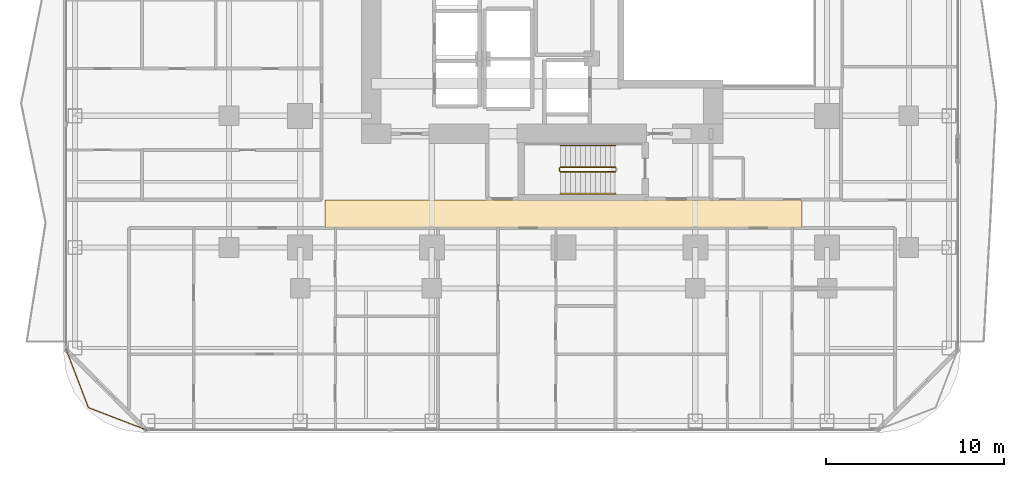
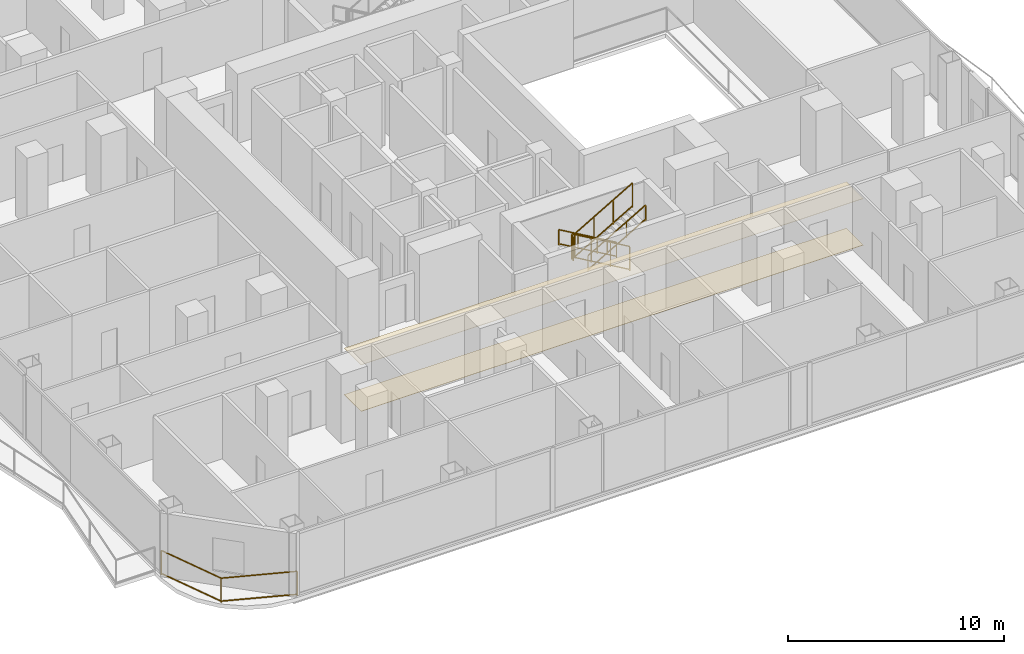
# One storey, part 25 of 29: 6 railings, 2 coverings.
"""IFC4 building model written with IfcOpenShell, lengths in metres."""

import ifcopenshell
import ifcopenshell.guid

model = None  # the IFC model being written
_history = None  # IfcOwnerHistory: only IFC2X3 demands one
_inside = {}  # id of a spatial element -> (the spatial element, [elements in it])
_under = {}  # id of a project, library or spatial element -> (it, [spatial elements below it])
_declared = {}  # id of a project -> (the project, [libraries it declares])
_typed = {}  # id of a type object -> (the type object, [elements of that type])
_made_of = {}  # id of a material, layer set ... -> (it, [elements and type objects made of it])


def new_model(schema):
    """Start an empty IFC model of exactly this schema.

    Asked for "IFC4X3", IfcOpenShell would pick the latest addendum, in which some entities
    have other attributes; the version numbers below select the first issue.
    IFC2X3 requires an IfcOwnerHistory on every rooted entity: one is made here for all.
    """
    global model, _history
    if schema == "IFC4X3":
        model = ifcopenshell.file(schema_version=(4, 3, 0, 0))
    else:
        model = ifcopenshell.file(schema=schema)
    _inside.clear()
    _under.clear()
    _declared.clear()
    _typed.clear()
    _made_of.clear()
    _history = None
    if model.schema == "IFC2X3":
        org = make("IfcOrganization", Name="unknown")
        user = make(
            "IfcPersonAndOrganization",
            ThePerson=make("IfcPerson", FamilyName="unknown"),
            TheOrganization=org,
        )
        app = make(
            "IfcApplication",
            ApplicationDeveloper=org,
            Version="unknown",
            ApplicationFullName="unknown",
            ApplicationIdentifier="unknown",
        )
        _history = make(
            "IfcOwnerHistory",
            OwningUser=user,
            OwningApplication=app,
            ChangeAction="ADDED",
            CreationDate=0,
        )
    return model


def make(cls, **values):
    """One entity of the class cls with the attributes given. An attribute that is None is left unset."""
    return model.create_entity(
        cls, **{name: value for name, value in values.items() if value is not None}
    )


def rooted(cls, **values):
    """An entity with a GlobalId (a new one), such as an element, a storey or a relation."""
    return make(cls, GlobalId=ifcopenshell.guid.new(), OwnerHistory=_history, **values)


def si_unit(unit_type, name, prefix=None):
    """IfcSIUnit, for example si_unit("LENGTHUNIT", "METRE", prefix="MILLI")."""
    return make("IfcSIUnit", UnitType=unit_type, Prefix=prefix, Name=name)


def assignment(units):
    """IfcUnitAssignment: the units of a project."""
    return None if units is None else make("IfcUnitAssignment", Units=units)


def point(xyz):
    """IfcCartesianPoint."""
    return None if xyz is None else make("IfcCartesianPoint", Coordinates=xyz)


def direction(xyz):
    """IfcDirection."""
    return None if xyz is None else make("IfcDirection", DirectionRatios=xyz)


def frame(location, z_axis=None, x_axis=None):
    """IfcAxis2Placement3D, a coordinate frame: its origin and axes. An axis left out is left unset."""
    return make(
        "IfcAxis2Placement3D",
        Location=point(location),
        Axis=direction(z_axis),
        RefDirection=direction(x_axis),
    )


def frame_2d(location, x_axis=None):
    """IfcAxis2Placement2D, a coordinate frame in the plane: its origin and x axis."""
    return make(
        "IfcAxis2Placement2D", Location=point(location), RefDirection=direction(x_axis)
    )


def origin():
    """The frame at (0, 0, 0) with its axes left unset."""
    return frame((0.0, 0.0, 0.0))


def origin_2d():
    """The frame at (0, 0) in the plane with its x axis left unset."""
    return frame_2d((0.0, 0.0))


def place(relative_to, where):
    """IfcLocalPlacement: puts the frame where relative to a parent placement (None: the world)."""
    return make(
        "IfcLocalPlacement", PlacementRelTo=relative_to, RelativePlacement=where
    )


def context(
    kind, dimensions, precision=None, world=None, true_north=None, identifier=None
):
    """IfcGeometricRepresentationContext, for example the 3D "Model" context."""
    return make(
        "IfcGeometricRepresentationContext",
        ContextIdentifier=identifier,
        ContextType=kind,
        CoordinateSpaceDimension=dimensions,
        Precision=precision,
        WorldCoordinateSystem=world,
        TrueNorth=true_north,
    )


def subcontext(parent, identifier, kind, view, scale=None):
    """IfcGeometricRepresentationSubContext, for example "Body" below "Model"."""
    return make(
        "IfcGeometricRepresentationSubContext",
        ContextIdentifier=identifier,
        ContextType=kind,
        ParentContext=parent,
        TargetScale=scale,
        TargetView=view,
    )


def project(units=None, contexts=None):
    """IfcProject with its units and contexts."""
    return rooted(
        "IfcProject",
        Name="project",
        RepresentationContexts=contexts,
        UnitsInContext=assignment(units),
    )


def spatial(cls, under=None, at=None, **own):
    """A site, building, storey or space (cls), placed at a placement, below another one or the project."""
    s = rooted(cls, ObjectPlacement=at, **own)
    if under is not None:
        _under.setdefault(under.id(), (under, []))[1].append(s)
    return s


def polyline(points):
    """IfcPolyline through the points."""
    return make("IfcPolyline", Points=[point(p) for p in points])


def profile(cls, at=None, kind="AREA", **sizes):
    """A parametric profile (cls). Its sizes go by their IFC names, for example OverallWidth=200.0."""
    return make(cls, ProfileType=kind, Position=at, **sizes)


def rectangle(**sizes):
    """IfcRectangleProfileDef."""
    return profile("IfcRectangleProfileDef", **sizes)


def outline(outer, holes=None, kind="AREA"):
    """IfcArbitraryClosedProfileDef: a profile drawn as a closed curve; with holes, ...WithVoids."""
    if holes is None:
        return make("IfcArbitraryClosedProfileDef", ProfileType=kind, OuterCurve=outer)
    return make(
        "IfcArbitraryProfileDefWithVoids",
        ProfileType=kind,
        OuterCurve=outer,
        InnerCurves=holes,
    )


def extrude(swept, where, along, depth):
    """IfcExtrudedAreaSolid: the profile swept, set in the frame where, extruded along a direction by depth."""
    return make(
        "IfcExtrudedAreaSolid",
        SweptArea=swept,
        Position=where,
        ExtrudedDirection=direction(along),
        Depth=depth,
    )


def shape(context_of_items, identifier, shape_type, items):
    """IfcShapeRepresentation: the items that make up one representation, for example the "Body"."""
    return make(
        "IfcShapeRepresentation",
        ContextOfItems=context_of_items,
        RepresentationIdentifier=identifier,
        RepresentationType=shape_type,
        Items=items,
    )


def material(Name=None, Category=None):
    """IfcMaterial."""
    return make("IfcMaterial", Name=Name, Category=Category)


def layer(
    of_material, thickness, ventilated=None, Name=None, Category=None, Priority=None
):
    """IfcMaterialLayer: one layer of a wall or slab, of a material (None: an air gap)."""
    return make(
        "IfcMaterialLayer",
        Material=of_material,
        LayerThickness=thickness,
        IsVentilated=ventilated,
        Name=Name,
        Category=Category,
        Priority=Priority,
    )


def layer_set(layers, Name=None):
    """IfcMaterialLayerSet."""
    return make("IfcMaterialLayerSet", MaterialLayers=layers, LayerSetName=Name)


def made_of(thing, what):
    """Note that an element or type object is made of a material, layer set ...; save() writes the relation."""
    if what is not None:
        _made_of.setdefault(what.id(), (what, []))[1].append(thing)
    return thing


def type_object(cls, material=None, **own):
    """A type object (cls), such as IfcWallType, which elements share."""
    return made_of(rooted(cls, **own), material)


def element(
    cls,
    number,
    at=None,
    inside=None,
    cuts=None,
    type_object=None,
    material=None,
    context=None,
    identifier="Body",
    shape_type=None,
    held_by="IfcProductDefinitionShape",
    body=None,
    shapes=None,
    **own,
):
    """One element of the class cls, such as IfcWall. Its Tag is "e" and its number.

    at: its placement. inside: the storey or other place that contains it. cuts: it is an
    opening in that element (IfcRelVoidsElement). A single representation is given by context,
    identifier, shape_type and body (its items); several are given by shapes. held_by: the class
    of the entity that holds the representations. save() writes the other relations.
    """
    e = rooted(cls, Tag="e%d" % number, ObjectPlacement=at, **own)
    if body is not None:
        shapes = [shape(context, identifier, shape_type, body)]
    if shapes is not None:
        e.Representation = make(held_by, Representations=shapes)
    if inside is not None:
        _inside.setdefault(inside.id(), (inside, []))[1].append(e)
    if cuts is not None:
        rooted(
            "IfcRelVoidsElement", RelatingBuildingElement=cuts, RelatedOpeningElement=e
        )
    if type_object is not None:
        _typed.setdefault(type_object.id(), (type_object, []))[1].append(e)
    return made_of(e, material)


def aggregate(whole, parts):
    """IfcRelAggregates: a whole, such as a stair, and the parts it consists of."""
    return rooted("IfcRelAggregates", RelatingObject=whole, RelatedObjects=parts)


def save(model, path):
    """Write the relations noted so far, then the file.

    IfcRelAggregates (storeys below a building ...), IfcRelContainedInSpatialStructure (elements
    in a storey), IfcRelDefinesByType, IfcRelAssociatesMaterial and IfcRelDeclares: one each for
    every whole, place, type object, material and project.
    """
    for whole, parts in _under.values():
        aggregate(whole, parts)
    for where, things in _inside.values():
        rooted(
            "IfcRelContainedInSpatialStructure",
            RelatedElements=things,
            RelatingStructure=where,
        )
    for kind, things in _typed.values():
        rooted("IfcRelDefinesByType", RelatedObjects=things, RelatingType=kind)
    for what, things in _made_of.values():
        rooted("IfcRelAssociatesMaterial", RelatedObjects=things, RelatingMaterial=what)
    for by, libraries in _declared.values():
        rooted("IfcRelDeclares", RelatingContext=by, RelatedDefinitions=libraries)
    model.write(path)


model = new_model("IFC4")

# Units and contexts
model_context = context("Model", 3, precision=1e-05, world=origin(), true_north=direction((0.0, 1.0)))
body_context = subcontext(model_context, "Body", "Model", "MODEL_VIEW")
ifc_project = project(units=[si_unit("LENGTHUNIT", "METRE"), si_unit("AREAUNIT", "SQUARE_METRE"), si_unit("VOLUMEUNIT", "CUBIC_METRE"), si_unit("PLANEANGLEUNIT", "RADIAN"), si_unit("MASSUNIT", "GRAM", prefix="KILO")], contexts=[model_context])

# Site, building, storey
site_placement = place(None, origin())
site = spatial("IfcSite", under=ifc_project, at=site_placement, CompositionType="ELEMENT")
building_placement = place(site_placement, origin())
building = spatial("IfcBuilding", under=site, at=building_placement, Name="Khorvyn Point Tower", CompositionType="ELEMENT")
storey_placement = place(building_placement, frame((0.0, 0.0, 73.5)))
storey = spatial("IfcBuildingStorey", under=building, at=storey_placement, Name="L19", CompositionType="ELEMENT", Elevation=73.5)

# Railing
ifc_material_1 = material(Name="Anodised aluminium 6063-T6 and laminated safety glass", Category="aluminium")
railing_type_1 = type_object("IfcRailingType", Name="Laminated Glass and Aluminium Balcony Guardrail 1400", PredefinedType="BALUSTRADE", material=ifc_material_1)
railing_1_placement = place(storey_placement, frame((-27.97412109375, -20.470703125, 0.0)))
element("IfcRailing", 1, at=railing_1_placement, inside=storey, type_object=railing_type_1, Name="L19 Rounded Corner Edge Guardrail SW", PredefinedType="BALUSTRADE", context=body_context, shape_type="SweptSolid", body=[
    extrude(rectangle(XDim=0.048095703125, YDim=0.048095703125, at=origin_2d()), frame((0.0, 0.0, 1.3759765625), z_axis=(0.35841886047, -0.933560882031, 0.0), x_axis=(0.933560882031, 0.35841886047, 0.0)), (0.0, 0.0, 1.0), 3.563232421875),
    extrude(rectangle(XDim=0.048095703125, YDim=0.048095703125, at=origin_2d()), frame((0.0, 0.0, 0.080078125), z_axis=(0.35841886047, -0.933560882031, 0.0), x_axis=(0.933560882031, 0.35841886047, 0.0)), (0.0, 0.0, 1.0), 3.563232421875),
    extrude(rectangle(XDim=0.048095703125, YDim=0.048095703125, at=origin_2d()), frame((1.277099609375, -3.326416015625, 1.3759765625), z_axis=(0.933575007025, -0.358382067435, 0.0), x_axis=(0.358382067435, 0.933575007025, 0.0)), (0.0, 0.0, 1.0), 3.562744140625),
    extrude(rectangle(XDim=0.048095703125, YDim=0.048095703125, at=origin_2d()), frame((1.277099609375, -3.326416015625, 0.080078125), z_axis=(0.933575007025, -0.358382067435, 0.0), x_axis=(0.358382067435, 0.933575007025, 0.0)), (0.0, 0.0, 1.0), 3.562744140625),
    extrude(rectangle(XDim=0.0419921875, YDim=0.0419921875, at=origin_2d()), origin(), (0.0, 0.0, 1.0), 1.351806640625),
    extrude(rectangle(XDim=0.0419921875, YDim=0.0419921875, at=origin_2d()), frame((1.277099609375, -3.326416015625, 0.0)), (0.0, 0.0, 1.0), 1.351806640625),
    extrude(rectangle(XDim=0.0419921875, YDim=0.0419921875, at=origin_2d()), frame((4.603271484375, -4.603271484375, 0.0)), (0.0, 0.0, 1.0), 1.351806640625),
])

# Coverings
ifc_material_2 = material(Name="Mineral-fibre acoustic ceiling board", Category="gypsum")
ifc_layer_1 = layer(ifc_material_2, 0.02001953125)
ifc_layer_set_1 = layer_set([ifc_layer_1], Name="Perforated Mineral-Fibre Acoustic Suspended Ceiling 20")
covering_type_1 = type_object("IfcCoveringType", Name="Perforated Mineral-Fibre Acoustic Suspended Ceiling 20", PredefinedType="CEILING", material=ifc_layer_set_1)
covering_1_placement = place(storey_placement, frame((0.0, 0.0, 2.6201171875)))
element("IfcCovering", 2, at=covering_1_placement, inside=storey, type_object=covering_type_1, Name="L19 South Corridor Acoustic Ceiling", PredefinedType="CEILING", context=body_context, shape_type="SweptSolid", body=[
    extrude(outline(polyline([(-13.39990234375, -13.7099609375), (13.39990234375, -13.7099609375), (13.39990234375, -12.139892578125), (-13.39990234375, -12.139892578125), (-13.39990234375, -13.7099609375)])), origin(), (0.0, 0.0, 1.0), 0.019775390625),
])
ifc_material_3 = material(Name="Vitrified porcelain terrazzo tile", Category="ceramic")
ifc_layer_2 = layer(ifc_material_3, 0.01806640625)
ifc_layer_set_2 = layer_set([ifc_layer_2], Name="Porcelain Terrazzo Corridor Floor Finish Tile 18")
covering_type_2 = type_object("IfcCoveringType", Name="Porcelain Terrazzo Corridor Floor Finish Tile 18", PredefinedType="FLOORING", material=ifc_layer_set_2)
covering_2_placement = place(storey_placement, origin())
element("IfcCovering", 3, at=covering_2_placement, inside=storey, type_object=covering_type_2, Name="L19 South Corridor Terrazzo Flooring", PredefinedType="FLOORING", context=body_context, shape_type="SweptSolid", body=[
    extrude(outline(polyline([(-13.39990234375, -13.7099609375), (13.39990234375, -13.7099609375), (13.39990234375, -12.139892578125), (-13.39990234375, -12.139892578125), (-13.39990234375, -13.7099609375)])), origin(), (0.0, 0.0, 1.0), 0.01806640625),
])

# Railings
ifc_material_4 = material(Name="Stainless steel 1.4301", Category="steel")
railing_type_2 = type_object("IfcRailingType", Name="Stainless Steel 304 Stair Pitch Handrail 900", PredefinedType="HANDRAIL", material=ifc_material_4)
railing_2_placement = place(storey_placement, frame((2.89990234375, -9.070068359375, 0.16259765625)))
element("IfcRailing", 4, at=railing_2_placement, inside=storey, type_object=railing_type_2, Name="L19 ST-01 stair handrail 1", PredefinedType="HANDRAIL", context=body_context, shape_type="SweptSolid", body=[
    extrude(rectangle(XDim=0.048095703125, YDim=0.048095703125, at=origin_2d()), frame((0.0, 0.0, 0.8759765625), z_axis=(-0.864903211148, 0.0, 0.501938676878), x_axis=(0.0, -1.0, 0.0)), (0.0, 0.0, 1.0), 3.560791015625),
    extrude(rectangle(XDim=0.048095703125, YDim=0.048095703125, at=origin_2d()), frame((0.0, 0.0, 0.080078125), z_axis=(-0.864903211148, 0.0, 0.501938676878), x_axis=(0.0, -1.0, 0.0)), (0.0, 0.0, 1.0), 3.560791015625),
    extrude(rectangle(XDim=0.0419921875, YDim=0.0419921875, at=origin_2d()), origin(), (0.0, 0.0, 1.0), 0.851806640625),
    extrude(rectangle(XDim=0.0419921875, YDim=0.0419921875, at=origin_2d()), frame((-1.026611328125, 0.0, 0.595703125)), (0.0, 0.0, 1.0), 0.851806640625),
    extrude(rectangle(XDim=0.0419921875, YDim=0.0419921875, at=origin_2d()), frame((-2.05322265625, 0.0, 1.191650390625)), (0.0, 0.0, 1.0), 0.851806640625),
    extrude(rectangle(XDim=0.0419921875, YDim=0.0419921875, at=origin_2d()), frame((-3.079833984375, 0.0, 1.787353515625)), (0.0, 0.0, 1.0), 0.851806640625),
])
railing_3_placement = place(storey_placement, frame((-0.179931640625, -11.77001953125, 2.112548828125)))
element("IfcRailing", 5, at=railing_3_placement, inside=storey, type_object=railing_type_2, Name="L19 ST-01 stair handrail 2", PredefinedType="HANDRAIL", context=body_context, shape_type="SweptSolid", body=[
    extrude(rectangle(XDim=0.048095703125, YDim=0.048095703125, at=origin_2d()), frame((0.0, 0.0, 0.8759765625), z_axis=(0.864903211148, 0.0, 0.501938676878), x_axis=(0.0, 1.0, 0.0)), (0.0, 0.0, 1.0), 3.560791015625),
    extrude(rectangle(XDim=0.048095703125, YDim=0.048095703125, at=origin_2d()), frame((0.0, 0.0, 0.080078125), z_axis=(0.864903211148, 0.0, 0.501938676878), x_axis=(0.0, 1.0, 0.0)), (0.0, 0.0, 1.0), 3.560791015625),
    extrude(rectangle(XDim=0.0419921875, YDim=0.0419921875, at=origin_2d()), origin(), (0.0, 0.0, 1.0), 0.851806640625),
    extrude(rectangle(XDim=0.0419921875, YDim=0.0419921875, at=origin_2d()), frame((1.026611328125, 0.0, 0.595703125)), (0.0, 0.0, 1.0), 0.851806640625),
    extrude(rectangle(XDim=0.0419921875, YDim=0.0419921875, at=origin_2d()), frame((2.05322265625, 0.0, 1.191650390625)), (0.0, 0.0, 1.0), 0.851806640625),
    extrude(rectangle(XDim=0.0419921875, YDim=0.0419921875, at=origin_2d()), frame((3.079833984375, 0.0, 1.787353515625)), (0.0, 0.0, 1.0), 0.851806640625),
])
railing_type_3 = type_object("IfcRailingType", Name="Stainless Steel 304 Stair Well Guardrail 1400", PredefinedType="GUARDRAIL", material=ifc_material_4)
railing_4_placement = place(storey_placement, frame((2.89990234375, -10.2900390625, 0.16259765625)))
element("IfcRailing", 6, at=railing_4_placement, inside=storey, type_object=railing_type_3, Name="L19 ST-01 stair guard 1", PredefinedType="GUARDRAIL", context=body_context, shape_type="SweptSolid", body=[
    extrude(rectangle(XDim=0.048095703125, YDim=0.048095703125, at=origin_2d()), frame((0.0, 0.0, 1.3759765625), z_axis=(-0.864903211148, 0.0, 0.501938676878), x_axis=(0.0, -1.0, 0.0)), (0.0, 0.0, 1.0), 3.560791015625),
    extrude(rectangle(XDim=0.048095703125, YDim=0.048095703125, at=origin_2d()), frame((0.0, 0.0, 0.080078125), z_axis=(-0.864903211148, 0.0, 0.501938676878), x_axis=(0.0, -1.0, 0.0)), (0.0, 0.0, 1.0), 3.560791015625),
    extrude(rectangle(XDim=0.0419921875, YDim=0.0419921875, at=origin_2d()), origin(), (0.0, 0.0, 1.0), 1.351806640625),
    extrude(rectangle(XDim=0.0419921875, YDim=0.0419921875, at=origin_2d()), frame((-1.026611328125, 0.0, 0.595703125)), (0.0, 0.0, 1.0), 1.351806640625),
    extrude(rectangle(XDim=0.0419921875, YDim=0.0419921875, at=origin_2d()), frame((-2.05322265625, 0.0, 1.191650390625)), (0.0, 0.0, 1.0), 1.351806640625),
    extrude(rectangle(XDim=0.0419921875, YDim=0.0419921875, at=origin_2d()), frame((-3.079833984375, 0.0, 1.787353515625)), (0.0, 0.0, 1.0), 1.351806640625),
])
railing_5_placement = place(storey_placement, frame((-0.22998046875, -10.340087890625, 1.949951171875)))
element("IfcRailing", 7, at=railing_5_placement, inside=storey, type_object=railing_type_3, Name="L19 ST-01 stair guard 2", PredefinedType="GUARDRAIL", context=body_context, shape_type="SweptSolid", body=[
    extrude(rectangle(XDim=0.048095703125, YDim=0.048095703125, at=origin_2d()), frame((0.0, 0.0, 1.3759765625), z_axis=(0.0, -1.0, 0.0), x_axis=(1.0, 0.0, 0.0)), (0.0, 0.0, 1.0), 0.159912109375),
    extrude(rectangle(XDim=0.048095703125, YDim=0.048095703125, at=origin_2d()), frame((0.0, 0.0, 0.080078125), z_axis=(0.0, -1.0, 0.0), x_axis=(1.0, 0.0, 0.0)), (0.0, 0.0, 1.0), 0.159912109375),
    extrude(rectangle(XDim=0.0419921875, YDim=0.0419921875, at=origin_2d()), origin(), (0.0, 0.0, 1.0), 1.351806640625),
    extrude(rectangle(XDim=0.0419921875, YDim=0.0419921875, at=origin_2d()), frame((0.0, -0.159912109375, 0.0)), (0.0, 0.0, 1.0), 1.351806640625),
])
railing_6_placement = place(storey_placement, frame((-0.179931640625, -10.550048828125, 2.112548828125)))
element("IfcRailing", 8, at=railing_6_placement, inside=storey, type_object=railing_type_3, Name="L19 ST-01 stair guard 3", PredefinedType="GUARDRAIL", context=body_context, shape_type="SweptSolid", body=[
    extrude(rectangle(XDim=0.048095703125, YDim=0.048095703125, at=origin_2d()), frame((0.0, 0.0, 1.3759765625), z_axis=(0.864903211148, 0.0, 0.501938676878), x_axis=(0.0, 1.0, 0.0)), (0.0, 0.0, 1.0), 3.560791015625),
    extrude(rectangle(XDim=0.048095703125, YDim=0.048095703125, at=origin_2d()), frame((0.0, 0.0, 0.080078125), z_axis=(0.864903211148, 0.0, 0.501938676878), x_axis=(0.0, 1.0, 0.0)), (0.0, 0.0, 1.0), 3.560791015625),
    extrude(rectangle(XDim=0.0419921875, YDim=0.0419921875, at=origin_2d()), origin(), (0.0, 0.0, 1.0), 1.351806640625),
    extrude(rectangle(XDim=0.0419921875, YDim=0.0419921875, at=origin_2d()), frame((1.026611328125, 0.0, 0.595703125)), (0.0, 0.0, 1.0), 1.351806640625),
    extrude(rectangle(XDim=0.0419921875, YDim=0.0419921875, at=origin_2d()), frame((2.05322265625, 0.0, 1.191650390625)), (0.0, 0.0, 1.0), 1.351806640625),
    extrude(rectangle(XDim=0.0419921875, YDim=0.0419921875, at=origin_2d()), frame((3.079833984375, 0.0, 1.787353515625)), (0.0, 0.0, 1.0), 1.351806640625),
])

save(model, "model.ifc")
